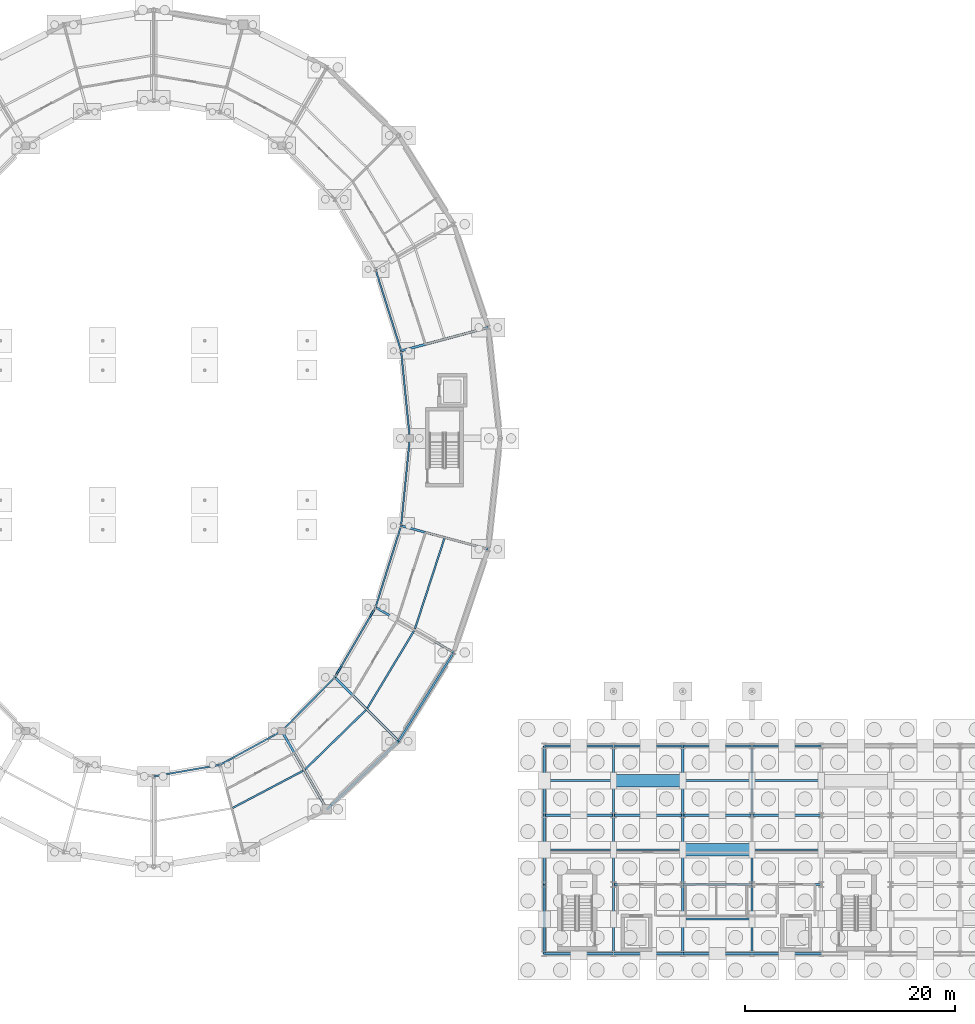
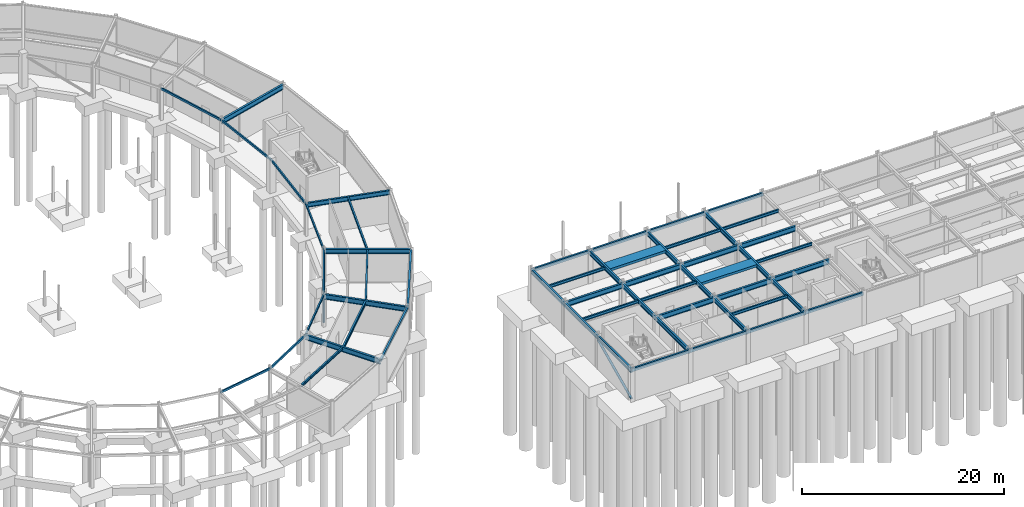
# One storey, part 25 of 58: 55 beams, 2 members.
"""IFC4 building model written with IfcOpenShell, lengths in metres."""

from ifc_helpers import new_model, si_unit, direction, frame, origin, origin_2d, place, context, subcontext, project, spatial, rectangle, hollow_rectangle, hollow_circle, i_section, extrude, material, material_profile, profile_set, type_object, element, save


model = new_model("IFC4")

# Units and contexts
model_context = context("Model", 3, precision=1e-05, world=origin(), true_north=direction((0.0, 1.0)))
body_context = subcontext(model_context, "Body", "Model", "MODEL_VIEW")
ifc_project = project(units=[si_unit("LENGTHUNIT", "METRE"), si_unit("AREAUNIT", "SQUARE_METRE"), si_unit("VOLUMEUNIT", "CUBIC_METRE"), si_unit("PLANEANGLEUNIT", "RADIAN"), si_unit("MASSUNIT", "GRAM", prefix="KILO")], contexts=[model_context])

# Site, building, storey
site_placement = place(None, origin())
site = spatial("IfcSite", under=ifc_project, at=site_placement, CompositionType="ELEMENT")
building_placement = place(site_placement, origin())
building = spatial("IfcBuilding", under=site, at=building_placement, Name="Karori Crest Natural Sciences Institute", CompositionType="ELEMENT")
storey_placement = place(building_placement, frame((0.0, 0.0, -4.199951171875)))
storey = spatial("IfcBuildingStorey", under=building, at=storey_placement, Name="B1", CompositionType="ELEMENT", Elevation=-4.199951171875)

# Beams
ifc_material_1 = material(Name="Structural steel AS/NZS 3679.1 Grade 350", Category="steel")
ifc_material_profile_1 = material_profile(ifc_material_1, i_section(OverallWidth=0.22900390625, OverallDepth=0.612060546875, WebThickness=0.011962890625, FlangeThickness=0.01953125, FilletRadius=0.013916015625, at=origin_2d()), Name="610UB125")
ifc_profile_set_1 = profile_set([ifc_material_profile_1], Name="Structural steel AS/NZS 3679.1 Grade 350")
beam_type_1 = type_object("IfcBeamType", Name="BT-04", PredefinedType="BEAM", material=ifc_profile_set_1)
beam_1_placement = place(storey_placement, frame((78.60009765625, 22.013916015625, 3.634033203125), z_axis=(0.499986217557, -0.866033360935, 0.0), x_axis=(0.866033360935, 0.499986217557, 0.0)))
element("IfcBeam", 1, at=beam_1_placement, inside=storey, type_object=beam_type_1, Name="Beam B-0078", PredefinedType="BEAM", context=body_context, shape_type="SweptSolid", body=[
    extrude(i_section(OverallWidth=0.22900390625, OverallDepth=0.612060546875, WebThickness=0.011962890625, FlangeThickness=0.01953125, FilletRadius=0.013916015625, at=origin_2d()), origin(), (0.0, 0.0, 1.0), 8.599853515625),
])
beam_2_placement = place(storey_placement, frame((110.199951171875, 7.39990234375, 3.614013671875), z_axis=(1.0, 0.0, 0.0), x_axis=(0.0, 1.0, 0.0)))
element("IfcBeam", 2, at=beam_2_placement, inside=storey, type_object=beam_type_1, Name="Beam B-1943", PredefinedType="BEAM", context=body_context, shape_type="SweptSolid", body=[
    extrude(i_section(OverallWidth=0.22900390625, OverallDepth=0.612060546875, WebThickness=0.011962890625, FlangeThickness=0.01953125, FilletRadius=0.013916015625, at=origin_2d()), origin(), (0.0, 0.0, 1.0), 6.60009765625),
])
beam_3_placement = place(storey_placement, frame((116.800048828125, 7.39990234375, 3.614013671875), z_axis=(1.0, 0.0, 0.0), x_axis=(0.0, 1.0, 0.0)))
element("IfcBeam", 3, at=beam_3_placement, inside=storey, type_object=beam_type_1, Name="Beam B-1944", PredefinedType="BEAM", context=body_context, shape_type="SweptSolid", body=[
    extrude(i_section(OverallWidth=0.22900390625, OverallDepth=0.612060546875, WebThickness=0.011962890625, FlangeThickness=0.01953125, FilletRadius=0.013916015625, at=origin_2d()), origin(), (0.0, 0.0, 1.0), 6.599853515625),
])
beam_4_placement = place(storey_placement, frame((123.39990234375, 7.39990234375, 3.614013671875), z_axis=(1.0, 0.0, 0.0), x_axis=(0.0, 1.0, 0.0)))
element("IfcBeam", 4, at=beam_4_placement, inside=storey, type_object=beam_type_1, Name="Beam B-1945", PredefinedType="BEAM", context=body_context, shape_type="SweptSolid", body=[
    extrude(i_section(OverallWidth=0.22900390625, OverallDepth=0.612060546875, WebThickness=0.011962890625, FlangeThickness=0.01953125, FilletRadius=0.013916015625, at=origin_2d()), origin(), (0.0, 0.0, 1.0), 6.60009765625),
])
beam_5_placement = place(storey_placement, frame((103.60009765625, 14.0, 3.614013671875), z_axis=(1.0, 0.0, 0.0), x_axis=(0.0, 1.0, 0.0)))
element("IfcBeam", 5, at=beam_5_placement, inside=storey, type_object=beam_type_1, Name="Beam B-1950", PredefinedType="BEAM", context=body_context, shape_type="SweptSolid", body=[
    extrude(i_section(OverallWidth=0.22900390625, OverallDepth=0.612060546875, WebThickness=0.011962890625, FlangeThickness=0.01953125, FilletRadius=0.013916015625, at=origin_2d()), origin(), (0.0, 0.0, 1.0), 6.599853515625),
])
beam_6_placement = place(storey_placement, frame((110.199951171875, 14.0, 3.614013671875), z_axis=(1.0, 0.0, 0.0), x_axis=(0.0, 1.0, 0.0)))
element("IfcBeam", 6, at=beam_6_placement, inside=storey, type_object=beam_type_1, Name="Beam B-1951", PredefinedType="BEAM", context=body_context, shape_type="SweptSolid", body=[
    extrude(i_section(OverallWidth=0.22900390625, OverallDepth=0.612060546875, WebThickness=0.011962890625, FlangeThickness=0.01953125, FilletRadius=0.013916015625, at=origin_2d()), origin(), (0.0, 0.0, 1.0), 6.60009765625),
])
beam_7_placement = place(storey_placement, frame((116.800048828125, 14.0, 3.614013671875), z_axis=(1.0, 0.0, 0.0), x_axis=(0.0, 1.0, 0.0)))
element("IfcBeam", 7, at=beam_7_placement, inside=storey, type_object=beam_type_1, Name="Beam B-1952", PredefinedType="BEAM", context=body_context, shape_type="SweptSolid", body=[
    extrude(i_section(OverallWidth=0.22900390625, OverallDepth=0.612060546875, WebThickness=0.011962890625, FlangeThickness=0.01953125, FilletRadius=0.013916015625, at=origin_2d()), origin(), (0.0, 0.0, 1.0), 6.599853515625),
])
beam_8_placement = place(storey_placement, frame((123.39990234375, 14.0, 3.614013671875), z_axis=(1.0, 0.0, 0.0), x_axis=(0.0, 1.0, 0.0)))
element("IfcBeam", 8, at=beam_8_placement, inside=storey, type_object=beam_type_1, Name="Beam B-1953", PredefinedType="BEAM", context=body_context, shape_type="SweptSolid", body=[
    extrude(i_section(OverallWidth=0.22900390625, OverallDepth=0.612060546875, WebThickness=0.011962890625, FlangeThickness=0.01953125, FilletRadius=0.013916015625, at=origin_2d()), origin(), (0.0, 0.0, 1.0), 6.60009765625),
])
ifc_material_profile_2 = material_profile(ifc_material_1, i_section(OverallWidth=0.208984375, OverallDepth=0.532958984375, WebThickness=0.01025390625, FlangeThickness=0.015625, FilletRadius=0.013916015625, at=origin_2d()), Name="530UB92.4")
ifc_profile_set_2 = profile_set([ifc_material_profile_2], Name="Structural steel AS/NZS 3679.1 Grade 350")
beam_type_2 = type_object("IfcBeamType", Name="BT-05", PredefinedType="BEAM", material=ifc_profile_set_2)
beam_9_placement = place(storey_placement, frame((87.531005859375, 33.800048828125, 3.67333984375), z_axis=(0.866021068297, -0.500007509209, 0.0), x_axis=(0.500007509209, 0.866021068297, 0.0)))
element("IfcBeam", 9, at=beam_9_placement, inside=storey, type_object=beam_type_2, Name="Beam B-0086", PredefinedType="BEAM", context=body_context, shape_type="SweptSolid", body=[
    extrude(i_section(OverallWidth=0.208984375, OverallDepth=0.532958984375, WebThickness=0.01025390625, FlangeThickness=0.015625, FilletRadius=0.013916015625, at=origin_2d()), origin(), (0.0, 0.0, 1.0), 8.599853515625),
])
beam_10_placement = place(storey_placement, frame((89.968505859375, 41.56591796875, 3.67333984375), z_axis=(0.96592752402, -0.258812709002, 0.0), x_axis=(0.258812709002, 0.96592752402, 0.0)))
element("IfcBeam", 10, at=beam_10_placement, inside=storey, type_object=beam_type_2, Name="Beam B-0090", PredefinedType="BEAM", context=body_context, shape_type="SweptSolid", body=[
    extrude(i_section(OverallWidth=0.208984375, OverallDepth=0.532958984375, WebThickness=0.01025390625, FlangeThickness=0.015625, FilletRadius=0.013916015625, at=origin_2d()), origin(), (0.0, 0.0, 1.0), 8.60009765625),
])
beam_11_placement = place(storey_placement, frame((110.199951171875, 0.800048828125, 3.653564453125), z_axis=(0.0, 1.0, 0.0), x_axis=(-1.0, 0.0, 0.0)))
element("IfcBeam", 11, at=beam_11_placement, inside=storey, type_object=beam_type_2, Name="Beam B-1971", PredefinedType="BEAM", context=body_context, shape_type="SweptSolid", body=[
    extrude(i_section(OverallWidth=0.208984375, OverallDepth=0.532958984375, WebThickness=0.01025390625, FlangeThickness=0.015625, FilletRadius=0.013916015625, at=origin_2d()), origin(), (0.0, 0.0, 1.0), 6.599853515625),
])
for number, where, z_axis, x_axis, name in (
    (12, (110.199951171875, 7.39990234375, 3.653564453125), (0.0, 1.0, 0.0), (-1.0, 0.0, 0.0), "Beam B-1972"),
    (13, (110.199951171875, 14.0, 3.653564453125), (0.0, 1.0, 0.0), (-1.0, 0.0, 0.0), "Beam B-1973"),
):
    element("IfcBeam", number, at=place(storey_placement, frame(where, z_axis=z_axis, x_axis=x_axis)), inside=storey, type_object=beam_type_2, Name=name, PredefinedType="BEAM", context=body_context, shape_type="SweptSolid", body=[
        extrude(i_section(OverallWidth=0.208984375, OverallDepth=0.532958984375, WebThickness=0.01025390625, FlangeThickness=0.015625, FilletRadius=0.013916015625, at=origin_2d()), origin(), (0.0, 0.0, 1.0), 6.60009765625),
    ])
beam_12_placement = place(storey_placement, frame((116.800048828125, 0.800048828125, 3.653564453125), z_axis=(0.0, 1.0, 0.0), x_axis=(-1.0, 0.0, 0.0)))
element("IfcBeam", 14, at=beam_12_placement, inside=storey, type_object=beam_type_2, Name="Beam B-1974", PredefinedType="BEAM", context=body_context, shape_type="SweptSolid", body=[
    extrude(i_section(OverallWidth=0.208984375, OverallDepth=0.532958984375, WebThickness=0.01025390625, FlangeThickness=0.015625, FilletRadius=0.013916015625, at=origin_2d()), origin(), (0.0, 0.0, 1.0), 6.599853515625),
])
for number, where, z_axis, x_axis, name in (
    (15, (116.800048828125, 7.39990234375, 3.653564453125), (0.0, 1.0, 0.0), (-1.0, 0.0, 0.0), "Beam B-1975"),
    (16, (116.800048828125, 14.0, 3.653564453125), (0.0, 1.0, 0.0), (-1.0, 0.0, 0.0), "Beam B-1976"),
):
    element("IfcBeam", number, at=place(storey_placement, frame(where, z_axis=z_axis, x_axis=x_axis)), inside=storey, type_object=beam_type_2, Name=name, PredefinedType="BEAM", context=body_context, shape_type="SweptSolid", body=[
        extrude(i_section(OverallWidth=0.208984375, OverallDepth=0.532958984375, WebThickness=0.01025390625, FlangeThickness=0.015625, FilletRadius=0.013916015625, at=origin_2d()), origin(), (0.0, 0.0, 1.0), 6.60009765625),
    ])
beam_13_placement = place(storey_placement, frame((123.39990234375, 0.800048828125, 3.653564453125), z_axis=(0.0, 1.0, 0.0), x_axis=(-1.0, 0.0, 0.0)))
element("IfcBeam", 17, at=beam_13_placement, inside=storey, type_object=beam_type_2, Name="Beam B-1977", PredefinedType="BEAM", context=body_context, shape_type="SweptSolid", body=[
    extrude(i_section(OverallWidth=0.208984375, OverallDepth=0.532958984375, WebThickness=0.01025390625, FlangeThickness=0.015625, FilletRadius=0.013916015625, at=origin_2d()), origin(), (0.0, 0.0, 1.0), 6.599853515625),
])
for number, where, z_axis, x_axis, name in (
    (18, (123.39990234375, 7.39990234375, 3.653564453125), (0.0, 1.0, 0.0), (-1.0, 0.0, 0.0), "Beam B-1978"),
    (19, (123.39990234375, 14.0, 3.653564453125), (0.0, 1.0, 0.0), (-1.0, 0.0, 0.0), "Beam B-1979"),
):
    element("IfcBeam", number, at=place(storey_placement, frame(where, z_axis=z_axis, x_axis=x_axis)), inside=storey, type_object=beam_type_2, Name=name, PredefinedType="BEAM", context=body_context, shape_type="SweptSolid", body=[
        extrude(i_section(OverallWidth=0.208984375, OverallDepth=0.532958984375, WebThickness=0.01025390625, FlangeThickness=0.015625, FilletRadius=0.013916015625, at=origin_2d()), origin(), (0.0, 0.0, 1.0), 6.60009765625),
    ])
ifc_material_profile_3 = material_profile(ifc_material_1, i_section(OverallWidth=0.208984375, OverallDepth=0.532958984375, WebThickness=0.01025390625, FlangeThickness=0.015625, FilletRadius=0.013916015625, at=origin_2d()), Name="530UB92.4")
ifc_profile_set_3 = profile_set([ifc_material_profile_3], Name="Structural steel AS/NZS 3679.1 Grade 350")
beam_type_3 = type_object("IfcBeamType", Name="BT-05-EL", PredefinedType="BEAM", material=ifc_profile_set_3)
beam_14_placement = place(storey_placement, frame((103.60009765625, 0.800048828125, 3.653564453125), z_axis=(0.0, 1.0, 0.0), x_axis=(-1.0, 0.0, 0.0)))
element("IfcBeam", 20, at=beam_14_placement, inside=storey, type_object=beam_type_3, Name="Beam B-1968", PredefinedType="BEAM", context=body_context, shape_type="SweptSolid", body=[
    extrude(i_section(OverallWidth=0.208984375, OverallDepth=0.532958984375, WebThickness=0.01025390625, FlangeThickness=0.015625, FilletRadius=0.013916015625, at=origin_2d()), origin(), (0.0, 0.0, 1.0), 6.599853515625),
])
for number, where, z_axis, x_axis, name in (
    (21, (103.60009765625, 7.39990234375, 3.653564453125), (0.0, 1.0, 0.0), (-1.0, 0.0, 0.0), "Beam B-1969"),
    (22, (103.60009765625, 14.0, 3.653564453125), (0.0, 1.0, 0.0), (-1.0, 0.0, 0.0), "Beam B-1970"),
):
    element("IfcBeam", number, at=place(storey_placement, frame(where, z_axis=z_axis, x_axis=x_axis)), inside=storey, type_object=beam_type_3, Name=name, PredefinedType="BEAM", context=body_context, shape_type="SweptSolid", body=[
        extrude(i_section(OverallWidth=0.208984375, OverallDepth=0.532958984375, WebThickness=0.01025390625, FlangeThickness=0.015625, FilletRadius=0.013916015625, at=origin_2d()), origin(), (0.0, 0.0, 1.0), 6.60009765625),
    ])
ifc_material_profile_4 = material_profile(ifc_material_1, i_section(OverallWidth=0.172119140625, OverallDepth=0.35888671875, WebThickness=0.008056640625, FlangeThickness=0.012939453125, FilletRadius=0.010986328125, at=origin_2d()), Name="360UB56.7")
ifc_profile_set_4 = profile_set([ifc_material_profile_4], Name="Structural steel AS/NZS 3679.1 Grade 350")
beam_type_4 = type_object("IfcBeamType", Name="BT-08", PredefinedType="BEAM", material=ifc_profile_set_4)
for number, where, z_axis, x_axis, name in (
    (23, (103.70458984375, 10.699951171875, 3.740478515625), (1.0, 0.0, 0.0), (0.0, 1.0, 0.0), "Beam B-1998"),
    (24, (103.70458984375, 17.300048828125, 3.740478515625), (1.0, 0.0, 0.0), (0.0, 1.0, 0.0), "Beam B-1999"),
):
    element("IfcBeam", number, at=place(storey_placement, frame(where, z_axis=z_axis, x_axis=x_axis)), inside=storey, type_object=beam_type_4, Name=name, PredefinedType="BEAM", context=body_context, shape_type="SweptSolid", body=[
        extrude(i_section(OverallWidth=0.172119140625, OverallDepth=0.35888671875, WebThickness=0.008056640625, FlangeThickness=0.012939453125, FilletRadius=0.010986328125, at=origin_2d()), origin(), (0.0, 0.0, 1.0), 6.390869140625),
    ])
beam_15_placement = place(storey_placement, frame((110.304443359375, 10.699951171875, 3.740478515625), z_axis=(1.0, 0.0, 0.0), x_axis=(0.0, 1.0, 0.0)))
element("IfcBeam", 25, at=beam_15_placement, inside=storey, type_object=beam_type_4, Name="Beam B-2000", PredefinedType="BEAM", context=body_context, shape_type="SweptSolid", body=[
    extrude(i_section(OverallWidth=0.172119140625, OverallDepth=0.35888671875, WebThickness=0.008056640625, FlangeThickness=0.012939453125, FilletRadius=0.010986328125, at=origin_2d()), origin(), (0.0, 0.0, 1.0), 6.39111328125),
])
for number, where, z_axis, x_axis, name in (
    (26, (116.904541015625, 4.10009765625, 3.740478515625), (1.0, 0.0, 0.0), (0.0, 1.0, 0.0), "Beam B-2002"),
    (27, (116.904541015625, 17.300048828125, 3.740478515625), (1.0, 0.0, 0.0), (0.0, 1.0, 0.0), "Beam B-2004"),
):
    element("IfcBeam", number, at=place(storey_placement, frame(where, z_axis=z_axis, x_axis=x_axis)), inside=storey, type_object=beam_type_4, Name=name, PredefinedType="BEAM", context=body_context, shape_type="SweptSolid", body=[
        extrude(i_section(OverallWidth=0.172119140625, OverallDepth=0.35888671875, WebThickness=0.008056640625, FlangeThickness=0.012939453125, FilletRadius=0.010986328125, at=origin_2d()), origin(), (0.0, 0.0, 1.0), 6.390869140625),
    ])
for number, where, z_axis, x_axis, name in (
    (28, (123.50439453125, 10.699951171875, 3.740478515625), (1.0, 0.0, 0.0), (0.0, 1.0, 0.0), "Beam B-2005"),
    (29, (123.50439453125, 17.300048828125, 3.740478515625), (1.0, 0.0, 0.0), (0.0, 1.0, 0.0), "Beam B-2006"),
):
    element("IfcBeam", number, at=place(storey_placement, frame(where, z_axis=z_axis, x_axis=x_axis)), inside=storey, type_object=beam_type_4, Name=name, PredefinedType="BEAM", context=body_context, shape_type="SweptSolid", body=[
        extrude(i_section(OverallWidth=0.172119140625, OverallDepth=0.35888671875, WebThickness=0.008056640625, FlangeThickness=0.012939453125, FilletRadius=0.010986328125, at=origin_2d()), origin(), (0.0, 0.0, 1.0), 6.39111328125),
    ])
ifc_material_profile_5 = material_profile(ifc_material_1, i_section(OverallWidth=0.166015625, OverallDepth=0.306884765625, WebThickness=0.006591796875, FlangeThickness=0.01171875, FilletRadius=0.010986328125, at=origin_2d()), Name="310UB46.2")
ifc_profile_set_5 = profile_set([ifc_material_profile_5], Name="Structural steel AS/NZS 3679.1 Grade 350")
beam_type_5 = type_object("IfcBeamType", Name="BT-09", PredefinedType="BEAM", material=ifc_profile_set_5)
beam_16_placement = place(storey_placement, frame((73.934326171875, 14.69970703125, 3.786376953125), z_axis=(0.884748465601, 0.466068828197, 0.0), x_axis=(-0.466068828197, 0.884748465601, 0.0)))
element("IfcBeam", 30, at=beam_16_placement, inside=storey, type_object=beam_type_5, Name="Beam B-0075", PredefinedType="BEAM", context=body_context, shape_type="SweptSolid", body=[
    extrude(i_section(OverallWidth=0.166015625, OverallDepth=0.306884765625, WebThickness=0.006591796875, FlangeThickness=0.01171875, FilletRadius=0.010986328125, at=origin_2d()), origin(), (0.0, 0.0, 1.0), 7.58349609375),
])
ifc_material_profile_6 = material_profile(ifc_material_1, i_section(OverallWidth=0.1650390625, OverallDepth=0.303955078125, WebThickness=0.006103515625, FlangeThickness=0.01025390625, FilletRadius=0.010986328125, at=origin_2d()), Name="310UB40.4")
ifc_profile_set_6 = profile_set([ifc_material_profile_6], Name="Structural steel AS/NZS 3679.1 Grade 350")
beam_type_6 = type_object("IfcBeamType", Name="BT-10", PredefinedType="BEAM", material=ifc_profile_set_6)
beam_17_placement = place(storey_placement, frame((91.2919921875, 31.76416015625, 3.787841796875), z_axis=(0.309698753032, 0.950834729262, 0.0), x_axis=(-0.950834729262, 0.309698753032, 0.0)))
element("IfcBeam", 31, at=beam_17_placement, inside=storey, type_object=beam_type_6, Name="Beam B-0087", PredefinedType="BEAM", context=body_context, shape_type="SweptSolid", body=[
    extrude(i_section(OverallWidth=0.1650390625, OverallDepth=0.303955078125, WebThickness=0.006103515625, FlangeThickness=0.01025390625, FilletRadius=0.010986328125, at=origin_2d()), origin(), (0.0, 0.0, 1.0), 9.018310546875),
])
ifc_material_2 = material(Name="Hollow structural steel AS/NZS 1163 Grade C350", Category="steel")
ifc_material_profile_7 = material_profile(ifc_material_2, hollow_rectangle(XDim=0.199951171875, YDim=0.39990234375, WallThickness=0.012451171875, at=origin_2d()), Name="RHS400x200x12.5")
ifc_profile_set_7 = profile_set([ifc_material_profile_7], Name="Hollow structural steel AS/NZS 1163 Grade C350")
beam_type_7 = type_object("IfcBeamType", Name="BT-14", PredefinedType="SPANDREL", material=ifc_profile_set_7)
beam_18_placement = place(storey_placement, frame((103.60009765625, 0.800048828125, 3.719970703125), z_axis=(1.0, 0.0, 0.0), x_axis=(0.0, 1.0, 0.0)))
element("IfcBeam", 32, at=beam_18_placement, inside=storey, type_object=beam_type_7, Name="Beam B-1934", PredefinedType="SPANDREL", context=body_context, shape_type="SweptSolid", body=[
    extrude(hollow_rectangle(XDim=0.199951171875, YDim=0.39990234375, WallThickness=0.012451171875, at=origin_2d()), origin(), (0.0, 0.0, 1.0), 6.599853515625),
])
beam_19_placement = place(storey_placement, frame((110.199951171875, 0.800048828125, 3.719970703125), z_axis=(1.0, 0.0, 0.0), x_axis=(0.0, 1.0, 0.0)))
element("IfcBeam", 33, at=beam_19_placement, inside=storey, type_object=beam_type_7, Name="Beam B-1935", PredefinedType="SPANDREL", context=body_context, shape_type="SweptSolid", body=[
    extrude(hollow_rectangle(XDim=0.199951171875, YDim=0.39990234375, WallThickness=0.012451171875, at=origin_2d()), origin(), (0.0, 0.0, 1.0), 6.60009765625),
])
beam_20_placement = place(storey_placement, frame((116.800048828125, 0.800048828125, 3.719970703125), z_axis=(1.0, 0.0, 0.0), x_axis=(0.0, 1.0, 0.0)))
element("IfcBeam", 34, at=beam_20_placement, inside=storey, type_object=beam_type_7, Name="Beam B-1936", PredefinedType="SPANDREL", context=body_context, shape_type="SweptSolid", body=[
    extrude(hollow_rectangle(XDim=0.199951171875, YDim=0.39990234375, WallThickness=0.012451171875, at=origin_2d()), origin(), (0.0, 0.0, 1.0), 6.599853515625),
])
beam_21_placement = place(storey_placement, frame((123.39990234375, 0.800048828125, 3.719970703125), z_axis=(1.0, 0.0, 0.0), x_axis=(0.0, 1.0, 0.0)))
element("IfcBeam", 35, at=beam_21_placement, inside=storey, type_object=beam_type_7, Name="Beam B-1937", PredefinedType="SPANDREL", context=body_context, shape_type="SweptSolid", body=[
    extrude(hollow_rectangle(XDim=0.199951171875, YDim=0.39990234375, WallThickness=0.012451171875, at=origin_2d()), origin(), (0.0, 0.0, 1.0), 6.60009765625),
])
beam_22_placement = place(storey_placement, frame((103.60009765625, 20.60009765625, 3.719970703125), z_axis=(1.0, 0.0, 0.0), x_axis=(0.0, 1.0, 0.0)))
element("IfcBeam", 36, at=beam_22_placement, inside=storey, type_object=beam_type_7, Name="Beam B-1959", PredefinedType="SPANDREL", context=body_context, shape_type="SweptSolid", body=[
    extrude(hollow_rectangle(XDim=0.199951171875, YDim=0.39990234375, WallThickness=0.012451171875, at=origin_2d()), origin(), (0.0, 0.0, 1.0), 6.599853515625),
])
beam_23_placement = place(storey_placement, frame((110.199951171875, 20.60009765625, 3.719970703125), z_axis=(1.0, 0.0, 0.0), x_axis=(0.0, 1.0, 0.0)))
element("IfcBeam", 37, at=beam_23_placement, inside=storey, type_object=beam_type_7, Name="Beam B-1960", PredefinedType="SPANDREL", context=body_context, shape_type="SweptSolid", body=[
    extrude(hollow_rectangle(XDim=0.199951171875, YDim=0.39990234375, WallThickness=0.012451171875, at=origin_2d()), origin(), (0.0, 0.0, 1.0), 6.60009765625),
])
beam_24_placement = place(storey_placement, frame((116.800048828125, 20.60009765625, 3.719970703125), z_axis=(1.0, 0.0, 0.0), x_axis=(0.0, 1.0, 0.0)))
element("IfcBeam", 38, at=beam_24_placement, inside=storey, type_object=beam_type_7, Name="Beam B-1961", PredefinedType="SPANDREL", context=body_context, shape_type="SweptSolid", body=[
    extrude(hollow_rectangle(XDim=0.199951171875, YDim=0.39990234375, WallThickness=0.012451171875, at=origin_2d()), origin(), (0.0, 0.0, 1.0), 6.599853515625),
])
beam_25_placement = place(storey_placement, frame((123.39990234375, 20.60009765625, 3.719970703125), z_axis=(1.0, 0.0, 0.0), x_axis=(0.0, 1.0, 0.0)))
element("IfcBeam", 39, at=beam_25_placement, inside=storey, type_object=beam_type_7, Name="Beam B-1962", PredefinedType="SPANDREL", context=body_context, shape_type="SweptSolid", body=[
    extrude(hollow_rectangle(XDim=0.199951171875, YDim=0.39990234375, WallThickness=0.012451171875, at=origin_2d()), origin(), (0.0, 0.0, 1.0), 6.60009765625),
])
ifc_material_profile_8 = material_profile(ifc_material_2, hollow_rectangle(XDim=0.199951171875, YDim=0.300048828125, WallThickness=0.010009765625, at=origin_2d()), Name="RHS300x200x10")
ifc_profile_set_8 = profile_set([ifc_material_profile_8], Name="Hollow structural steel AS/NZS 1163 Grade C350")
beam_type_8 = type_object("IfcBeamType", Name="BT-15", PredefinedType="SPANDREL", material=ifc_profile_set_8)
beam_26_placement = place(storey_placement, frame((82.89990234375, 14.566162109375, 3.7900390625), z_axis=(0.725481282589, 0.688241896874, 0.0), x_axis=(-0.688241896874, 0.725481282589, 0.0)))
element("IfcBeam", 40, at=beam_26_placement, inside=storey, type_object=beam_type_8, Name="Beam B-0076", PredefinedType="SPANDREL", context=body_context, shape_type="SweptSolid", body=[
    extrude(hollow_rectangle(XDim=0.199951171875, YDim=0.300048828125, WallThickness=0.010009765625, at=origin_2d()), origin(), (0.0, 0.0, 1.0), 9.4208984375),
])
beam_27_placement = place(storey_placement, frame((89.734619140625, 21.050048828125, 3.7900390625), z_axis=(0.527315195609, 0.849669750244, 0.0), x_axis=(-0.849669750244, 0.527315195609, 0.0)))
element("IfcBeam", 41, at=beam_27_placement, inside=storey, type_object=beam_type_8, Name="Beam B-0080", PredefinedType="SPANDREL", context=body_context, shape_type="SweptSolid", body=[
    extrude(hollow_rectangle(XDim=0.199951171875, YDim=0.300048828125, WallThickness=0.010009765625, at=origin_2d()), origin(), (0.0, 0.0, 1.0), 9.945068359375),
])
ifc_material_profile_9 = material_profile(ifc_material_2, hollow_rectangle(XDim=0.14990234375, YDim=0.25, WallThickness=0.009033203125, at=origin_2d()), Name="RHS250x150x9")
ifc_profile_set_9 = profile_set([ifc_material_profile_9], Name="Hollow structural steel AS/NZS 1163 Grade C350")
beam_type_9 = type_object("IfcBeamType", Name="BT-16", PredefinedType="SPANDREL", material=ifc_profile_set_9)
beam_28_placement = place(storey_placement, frame((90.800048828125, 49.89990234375, 3.7900390625), z_axis=(-0.099284371237, 0.99505910057, 0.0), x_axis=(-0.99505910057, -0.099284371237, 0.0)))
element("IfcBeam", 42, at=beam_28_placement, inside=storey, type_object=beam_type_9, Name="Beam B-0002", PredefinedType="SPANDREL", context=body_context, shape_type="SweptSolid", body=[
    extrude(hollow_rectangle(XDim=0.14990234375, YDim=0.25, WallThickness=0.009033203125, at=origin_2d()), origin(), (0.0, 0.0, 1.0), 8.37548828125),
])
beam_29_placement = place(storey_placement, frame((89.968505859375, 58.23388671875, 3.7900390625), z_axis=(-0.299460006143, 0.954108853706, 0.0), x_axis=(-0.954108853706, -0.299460006143, 0.0)))
element("IfcBeam", 43, at=beam_29_placement, inside=storey, type_object=beam_type_9, Name="Beam B-0004", PredefinedType="SPANDREL", context=body_context, shape_type="SweptSolid", body=[
    extrude(hollow_rectangle(XDim=0.14990234375, YDim=0.25, WallThickness=0.009033203125, at=origin_2d()), origin(), (0.0, 0.0, 1.0), 8.1396484375),
])
beam_30_placement = place(storey_placement, frame((66.39990234375, 17.699951171875, 3.7900390625), z_axis=(0.985241372425, 0.17117078624, 0.0), x_axis=(-0.17117078624, 0.985241372425, 0.0)))
element("IfcBeam", 44, at=beam_30_placement, inside=storey, type_object=beam_type_9, Name="Beam B-0069", PredefinedType="SPANDREL", context=body_context, shape_type="SweptSolid", body=[
    extrude(hollow_rectangle(XDim=0.14990234375, YDim=0.25, WallThickness=0.009033203125, at=origin_2d()), origin(), (0.0, 0.0, 1.0), 6.40966796875),
])
beam_31_placement = place(storey_placement, frame((72.715087890625, 18.797119140625, 3.7900390625), z_axis=(0.877469531616, 0.47963238119, 0.0), x_axis=(-0.47963238119, 0.877469531616, 0.0)))
element("IfcBeam", 45, at=beam_31_placement, inside=storey, type_object=beam_type_9, Name="Beam B-0073", PredefinedType="SPANDREL", context=body_context, shape_type="SweptSolid", body=[
    extrude(hollow_rectangle(XDim=0.14990234375, YDim=0.25, WallThickness=0.009033203125, at=origin_2d()), origin(), (0.0, 0.0, 1.0), 6.706787109375),
])
beam_32_placement = place(storey_placement, frame((78.60009765625, 22.013916015625, 3.7900390625), z_axis=(0.702645672149, 0.711539921164, 0.0), x_axis=(-0.711539921164, 0.702645672149, 0.0)))
element("IfcBeam", 46, at=beam_32_placement, inside=storey, type_object=beam_type_9, Name="Beam B-0077", PredefinedType="SPANDREL", context=body_context, shape_type="SweptSolid", body=[
    extrude(hollow_rectangle(XDim=0.14990234375, YDim=0.25, WallThickness=0.009033203125, at=origin_2d()), origin(), (0.0, 0.0, 1.0), 7.191650390625),
])
beam_33_placement = place(storey_placement, frame((83.6533203125, 27.131103515625, 3.7900390625), z_axis=(0.502658410953, 0.864485119536, 0.0), x_axis=(-0.864485119536, 0.502658410953, 0.0)))
element("IfcBeam", 47, at=beam_33_placement, inside=storey, type_object=beam_type_9, Name="Beam B-0081", PredefinedType="SPANDREL", context=body_context, shape_type="SweptSolid", body=[
    extrude(hollow_rectangle(XDim=0.14990234375, YDim=0.25, WallThickness=0.009033203125, at=origin_2d()), origin(), (0.0, 0.0, 1.0), 7.71435546875),
])
beam_34_placement = place(storey_placement, frame((87.531005859375, 33.800048828125, 3.7900390625), z_axis=(0.299468576182, 0.954106163841, 0.0), x_axis=(-0.954106163841, 0.299468576182, 0.0)))
element("IfcBeam", 48, at=beam_34_placement, inside=storey, type_object=beam_type_9, Name="Beam B-0085", PredefinedType="SPANDREL", context=body_context, shape_type="SweptSolid", body=[
    extrude(hollow_rectangle(XDim=0.14990234375, YDim=0.25, WallThickness=0.009033203125, at=origin_2d()), origin(), (0.0, 0.0, 1.0), 8.139404296875),
])
beam_35_placement = place(storey_placement, frame((89.968505859375, 41.56591796875, 3.7900390625), z_axis=(0.099284371237, 0.99505910057, 0.0), x_axis=(-0.99505910057, 0.099284371237, 0.0)))
element("IfcBeam", 49, at=beam_35_placement, inside=storey, type_object=beam_type_9, Name="Beam B-0089", PredefinedType="SPANDREL", context=body_context, shape_type="SweptSolid", body=[
    extrude(hollow_rectangle(XDim=0.14990234375, YDim=0.25, WallThickness=0.009033203125, at=origin_2d()), origin(), (0.0, 0.0, 1.0), 8.37548828125),
])
ifc_material_3 = material(Name="Concrete 40 MPa", Category="concrete")
ifc_material_profile_10 = material_profile(ifc_material_3, rectangle(XDim=1.199951171875, YDim=0.300048828125, at=origin_2d()), Name="HCP1200x300")
ifc_profile_set_10 = profile_set([ifc_material_profile_10], Name="Concrete 40 MPa")
beam_type_10 = type_object("IfcBeamType", Name="BT-25", PredefinedType="HOLLOWCORE", material=ifc_profile_set_10)
beam_36_placement = place(storey_placement, frame((110.304443359375, 17.300048828125, 3.77001953125), z_axis=(1.0, 0.0, 0.0), x_axis=(0.0, 1.0, 0.0)))
element("IfcBeam", 50, at=beam_36_placement, inside=storey, type_object=beam_type_10, Name="Beam B-2001", PredefinedType="HOLLOWCORE", context=body_context, shape_type="SweptSolid", body=[
    extrude(rectangle(XDim=1.199951171875, YDim=0.300048828125, at=origin_2d()), origin(), (0.0, 0.0, 1.0), 6.39111328125),
])
beam_37_placement = place(storey_placement, frame((116.904541015625, 10.699951171875, 3.77001953125), z_axis=(1.0, 0.0, 0.0), x_axis=(0.0, 1.0, 0.0)))
element("IfcBeam", 51, at=beam_37_placement, inside=storey, type_object=beam_type_10, Name="Beam B-2003", PredefinedType="HOLLOWCORE", context=body_context, shape_type="SweptSolid", body=[
    extrude(rectangle(XDim=1.199951171875, YDim=0.300048828125, at=origin_2d()), origin(), (0.0, 0.0, 1.0), 6.390869140625),
])
ifc_material_profile_11 = material_profile(ifc_material_1, i_section(OverallWidth=0.22802734375, OverallDepth=0.60205078125, WebThickness=0.010498046875, FlangeThickness=0.014892578125, FilletRadius=0.013916015625, at=origin_2d()), Name="610UB101")
ifc_profile_set_11 = profile_set([ifc_material_profile_11], Name="Structural steel AS/NZS 3679.1 Grade 350")
beam_type_11 = type_object("IfcBeamType", Name="BT-27", PredefinedType="BEAM", material=ifc_profile_set_11)
for number, where, z_axis, x_axis, name in (
    (52, (89.968505859375, 58.23388671875, 3.638916015625), (0.96592752402, 0.258812709002, 0.0), (-0.258812709002, 0.96592752402, 0.0), "Beam B-0005"),
    (53, (83.6533203125, 27.131103515625, 3.638916015625), (0.70712097513, -0.707092586958, 0.0), (0.707092586958, 0.70712097513, 0.0), "Beam B-0082"),
):
    element("IfcBeam", number, at=place(storey_placement, frame(where, z_axis=z_axis, x_axis=x_axis)), inside=storey, type_object=beam_type_11, Name=name, PredefinedType="BEAM", context=body_context, shape_type="SweptSolid", body=[
        extrude(i_section(OverallWidth=0.22802734375, OverallDepth=0.60205078125, WebThickness=0.010498046875, FlangeThickness=0.014892578125, FilletRadius=0.013916015625, at=origin_2d()), origin(), (0.0, 0.0, 1.0), 8.60009765625),
    ])
ifc_material_profile_12 = material_profile(ifc_material_1, i_section(OverallWidth=0.177978515625, OverallDepth=0.403076171875, WebThickness=0.007568359375, FlangeThickness=0.010986328125, FilletRadius=0.010986328125, at=origin_2d()), Name="410UB53.7")
ifc_profile_set_12 = profile_set([ifc_material_profile_12], Name="Structural steel AS/NZS 3679.1 Grade 350")
beam_type_12 = type_object("IfcBeamType", Name="BT-29", PredefinedType="BEAM", material=ifc_profile_set_12)
beam_38_placement = place(storey_placement, frame((80.8359375, 18.373779296875, 3.738525390625), z_axis=(0.715681193625, 0.698427110794, 0.0), x_axis=(-0.698427110794, 0.715681193625, 0.0)))
element("IfcBeam", 54, at=beam_38_placement, inside=storey, type_object=beam_type_12, Name="Beam B-0079", PredefinedType="BEAM", context=body_context, shape_type="SweptSolid", body=[
    extrude(i_section(OverallWidth=0.177978515625, OverallDepth=0.403076171875, WebThickness=0.007568359375, FlangeThickness=0.010986328125, FilletRadius=0.010986328125, at=origin_2d()), origin(), (0.0, 0.0, 1.0), 8.0654296875),
])
ifc_material_profile_13 = material_profile(ifc_material_1, i_section(OverallWidth=0.1708984375, OverallDepth=0.35595703125, WebThickness=0.00732421875, FlangeThickness=0.011474609375, FilletRadius=0.010986328125, at=origin_2d()), Name="360UB50.7")
ifc_profile_set_13 = profile_set([ifc_material_profile_13], Name="Structural steel AS/NZS 3679.1 Grade 350")
beam_type_13 = type_object("IfcBeamType", Name="BT-30", PredefinedType="BEAM", material=ifc_profile_set_13)
beam_39_placement = place(storey_placement, frame((86.755859375, 24.193359375, 3.761962890625), z_axis=(0.516601017309, 0.856226248672, 0.0), x_axis=(-0.856226248672, 0.516601017309, 0.0)))
element("IfcBeam", 55, at=beam_39_placement, inside=storey, type_object=beam_type_13, Name="Beam B-0083", PredefinedType="BEAM", context=body_context, shape_type="SweptSolid", body=[
    extrude(i_section(OverallWidth=0.1708984375, OverallDepth=0.35595703125, WebThickness=0.00732421875, FlangeThickness=0.011474609375, FilletRadius=0.010986328125, at=origin_2d()), origin(), (0.0, 0.0, 1.0), 8.5888671875),
])

# Members
ifc_material_profile_14 = material_profile(ifc_material_2, hollow_circle(Radius=0.136474609375, WallThickness=0.00927734375, at=origin_2d()), Name="CHS273.0x9.3")
ifc_profile_set_14 = profile_set([ifc_material_profile_14], Name="Hollow structural steel AS/NZS 1163 Grade C350")
member_type_1 = type_object("IfcMemberType", Name="MT-01", PredefinedType="BRACE", material=ifc_profile_set_14)
member_1_placement = place(storey_placement, frame((103.60009765625, 0.800048828125, 0.25), z_axis=(0.0, 0.906817143793, 0.421524219617), x_axis=(-1.0, 0.0, 0.0)))
element("IfcMember", 56, at=member_1_placement, inside=storey, type_object=member_type_1, Name="Diagonal Brace M-0437", PredefinedType="BRACE", context=body_context, shape_type="SweptSolid", body=[
    extrude(hollow_circle(Radius=0.136474609375, WallThickness=0.00927734375, at=origin_2d()), origin(), (0.0, 0.0, 1.0), 7.278076171875),
])
ifc_material_profile_15 = material_profile(ifc_material_2, hollow_circle(Radius=0.109619140625, WallThickness=0.00830078125, at=origin_2d()), Name="CHS219.1x8.2")
ifc_profile_set_15 = profile_set([ifc_material_profile_15], Name="Hollow structural steel AS/NZS 1163 Grade C350")
member_type_2 = type_object("IfcMemberType", Name="MT-02", PredefinedType="BRACE", material=ifc_profile_set_15)
member_2_placement = place(storey_placement, frame((83.80419921875, 27.390380859375, 0.25), z_axis=(0.453507713952, 0.780007259499, 0.431183752611), x_axis=(-0.864499904405, 0.502632982686, 0.0)))
element("IfcMember", 57, at=member_2_placement, inside=storey, type_object=member_type_2, Name="Diagonal Brace M-0004", PredefinedType="BRACE", context=body_context, shape_type="SweptSolid", body=[
    extrude(hollow_circle(Radius=0.109619140625, WallThickness=0.00830078125, at=origin_2d()), origin(), (0.0, 0.0, 1.0), 7.885009765625),
])

save(model, "model.ifc")
